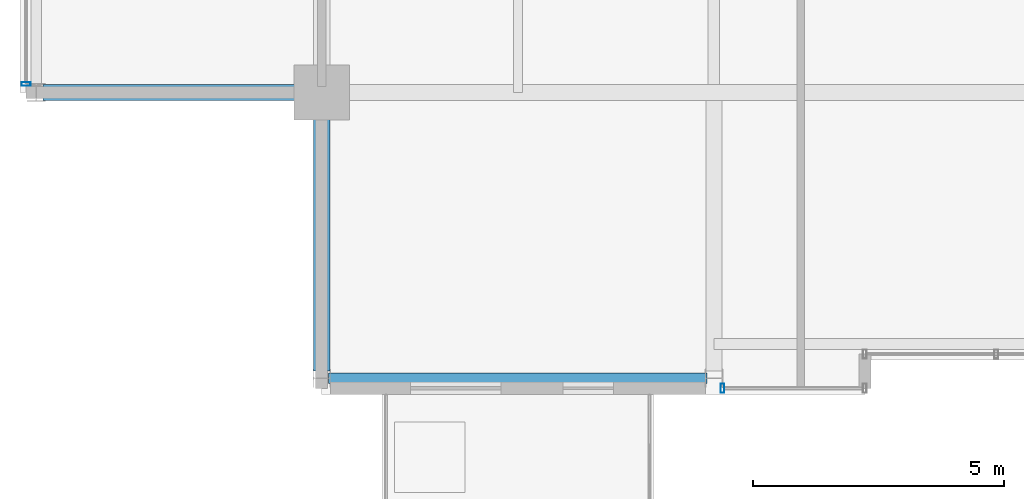
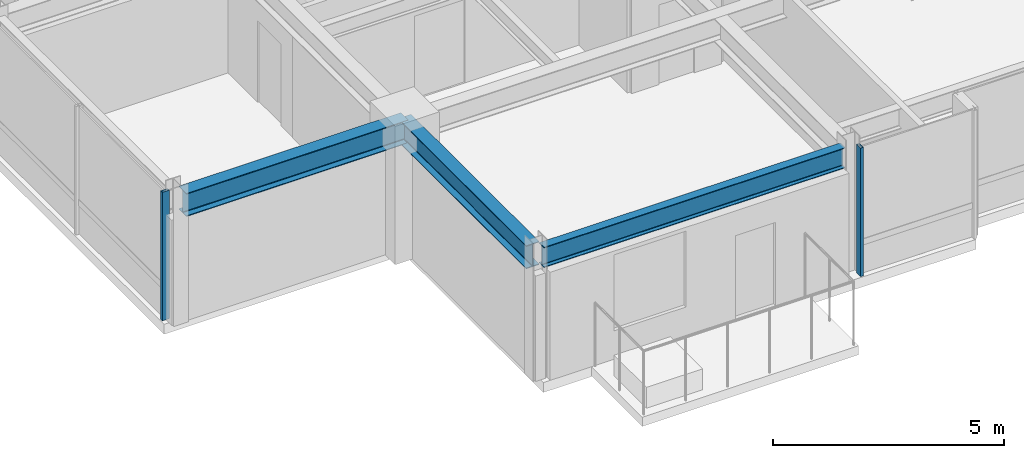
# One storey, part 4 of 34: 3 beams, 2 members, 2 elements without a shape of their own.
"""IFC4 building model written with IfcOpenShell, lengths in metres."""

from ifc_helpers import new_model, si_unit, direction, frame, origin, origin_2d, place, context, subcontext, project, spatial, hollow_rectangle, i_section, extrude, material, layer, layer_set, material_profile, profile_set, type_object, element, aggregate, save


model = new_model("IFC4")

# Units and contexts
model_context = context("Model", 3, precision=1e-05, world=origin(), true_north=direction((0.0, 1.0)))
body_context = subcontext(model_context, "Body", "Model", "MODEL_VIEW")
ifc_project = project(units=[si_unit("LENGTHUNIT", "METRE"), si_unit("AREAUNIT", "SQUARE_METRE"), si_unit("VOLUMEUNIT", "CUBIC_METRE"), si_unit("PLANEANGLEUNIT", "RADIAN"), si_unit("MASSUNIT", "GRAM", prefix="KILO")], contexts=[model_context])

# Site, building, storey
site_placement = place(None, origin())
site = spatial("IfcSite", under=ifc_project, at=site_placement, CompositionType="ELEMENT")
building_placement = place(site_placement, origin())
building = spatial("IfcBuilding", under=site, at=building_placement, Name="Drelvath Grand Hotel", CompositionType="ELEMENT")
storey_placement = place(building_placement, frame((0.0, 0.0, 286.89990234375)))
storey = spatial("IfcBuildingStorey", under=building, at=storey_placement, Name="L75", CompositionType="ELEMENT", Elevation=286.89990234375)

# Curtain wall, member
ifc_material_1 = material(Name="Platinum-Mist Anodised Aluminium Frame", Category="aluminium")
ifc_layer = layer(ifc_material_1, 0.199951171875)
ifc_layer_set = layer_set([ifc_layer], Name="Platinum-Mist Anodised Aluminium Frame")
curtain_wall_type = type_object("IfcCurtainWallType", Name="Stick Curtain Wall CW-05 Platinum Mist High-Rise", PredefinedType="NOTDEFINED", material=ifc_layer_set)
curtain_wall_1_placement = place(storey_placement, origin())
curtain_wall_1 = element("IfcCurtainWall", 1, at=curtain_wall_1_placement, inside=storey, type_object=curtain_wall_type, Name="L75 CW-05 Curtain Wall CW05-L75-WS1", PredefinedType="NOTDEFINED")
ifc_material_profile_1 = material_profile(ifc_material_1, hollow_rectangle(XDim=0.074951171875, YDim=0.179931640625, WallThickness=0.0048828125, at=origin_2d()), Name="HSS180X75X5")
ifc_profile_set_1 = profile_set([ifc_material_profile_1], Name="Platinum-Mist Anodised Aluminium Frame")
member_type = type_object("IfcMemberType", Name="Curtain Wall Vertical Mullion CW-05 HSS180X75X5", PredefinedType="MULLION", material=ifc_profile_set_1)
member_1_placement = place(storey_placement, frame((-22.080078125, 10.97021484375, 0.0), z_axis=(0.0, 0.0, 1.0), x_axis=(0.0, 1.0, 0.0)))
member_1 = element("IfcMember", 2, at=member_1_placement, type_object=member_type, Name="CW05-L75-WS1 Mullion 1", PredefinedType="MULLION", context=body_context, shape_type="SweptSolid", body=[
    extrude(hollow_rectangle(XDim=0.074951171875, YDim=0.179931640625, WallThickness=0.0048828125, at=origin_2d()), origin(), (0.0, 0.0, 1.0), 3.39013671875),
])
aggregate(curtain_wall_1, [member_1])

curtain_wall_2_placement = place(storey_placement, origin())
curtain_wall_2 = element("IfcCurtainWall", 3, at=curtain_wall_2_placement, inside=storey, type_object=curtain_wall_type, Name="L75 CW-05 Curtain Wall CW05-L75-SW2", PredefinedType="NOTDEFINED")
member_2_placement = place(storey_placement, frame((-8.22998046875, 4.919921875, 0.0), z_axis=(0.0, 0.0, 1.0), x_axis=(1.0, 0.0, 0.0)))
member_2 = element("IfcMember", 4, at=member_2_placement, type_object=member_type, Name="CW05-L75-SW2 Mullion 2", PredefinedType="MULLION", context=body_context, shape_type="SweptSolid", body=[
    extrude(hollow_rectangle(XDim=0.074951171875, YDim=0.179931640625, WallThickness=0.0048828125, at=origin_2d()), origin(), (0.0, 0.0, 1.0), 3.39013671875),
])
aggregate(curtain_wall_2, [member_2])

# Beams
ifc_material_2 = material(Name="Steel ASTM A992 Gr 50", Category="steel")
ifc_material_profile_2 = material_profile(ifc_material_2, i_section(OverallWidth=0.210205078125, OverallDepth=0.53662109375, WebThickness=0.010986328125, FlangeThickness=0.017333984375, FilletRadius=0.01806640625, at=origin_2d()), Name="W21X68")
ifc_profile_set_2 = profile_set([ifc_material_profile_2], Name="Steel ASTM A992 Gr 50")
beam_type_1 = type_object("IfcBeamType", Name="Perimeter Spandrel Beam W21X68", PredefinedType="SPANDREL", material=ifc_profile_set_2)
beam_placement = place(storey_placement, frame((-16.06005859375, 5.1201171875, 3.121826171875), z_axis=(1.0, 0.0, 0.0), x_axis=(0.0, 1.0, 0.0)))
element("IfcBeam", 5, at=beam_placement, inside=storey, type_object=beam_type_1, Name="L75 Spandrel South W", PredefinedType="SPANDREL", context=body_context, shape_type="SweptSolid", body=[
    extrude(i_section(OverallWidth=0.210205078125, OverallDepth=0.53662109375, WebThickness=0.010986328125, FlangeThickness=0.017333984375, FilletRadius=0.01806640625, at=origin_2d()), origin(), (0.0, 0.0, 1.0), 7.52001953125),
])
ifc_material_profile_3 = material_profile(ifc_material_2, i_section(OverallWidth=0.323974609375, OverallDepth=0.611083984375, WebThickness=0.0126953125, FlangeThickness=0.01904296875, FilletRadius=0.02197265625, at=origin_2d()), Name="W24X104")
ifc_profile_set_3 = profile_set([ifc_material_profile_3], Name="Steel ASTM A992 Gr 50")
beam_type_2 = type_object("IfcBeamType", Name="Primary Floor Girder W24X104", PredefinedType="BEAM", material=ifc_profile_set_3)
for number, where, z_axis, x_axis, name in (
    (6, (-21.739990234375, 10.800048828125, 3.084716796875), (1.0, 0.0, 0.0), (0.0, 1.0, 0.0), "L75 West Grid Girder C"),
    (7, (-16.199951171875, 5.260009765625, 3.084716796875), (0.0, 1.0, 0.0), (-1.0, 0.0, 0.0), "L75 South Grid Girder 3"),
):
    element("IfcBeam", number, at=place(storey_placement, frame(where, z_axis=z_axis, x_axis=x_axis)), inside=storey, type_object=beam_type_2, Name=name, PredefinedType="BEAM", context=body_context, shape_type="SweptSolid", body=[
        extrude(i_section(OverallWidth=0.323974609375, OverallDepth=0.611083984375, WebThickness=0.0126953125, FlangeThickness=0.01904296875, FilletRadius=0.02197265625, at=origin_2d()), origin(), (0.0, 0.0, 1.0), 5.5400390625),
    ])

save(model, "model.ifc")
